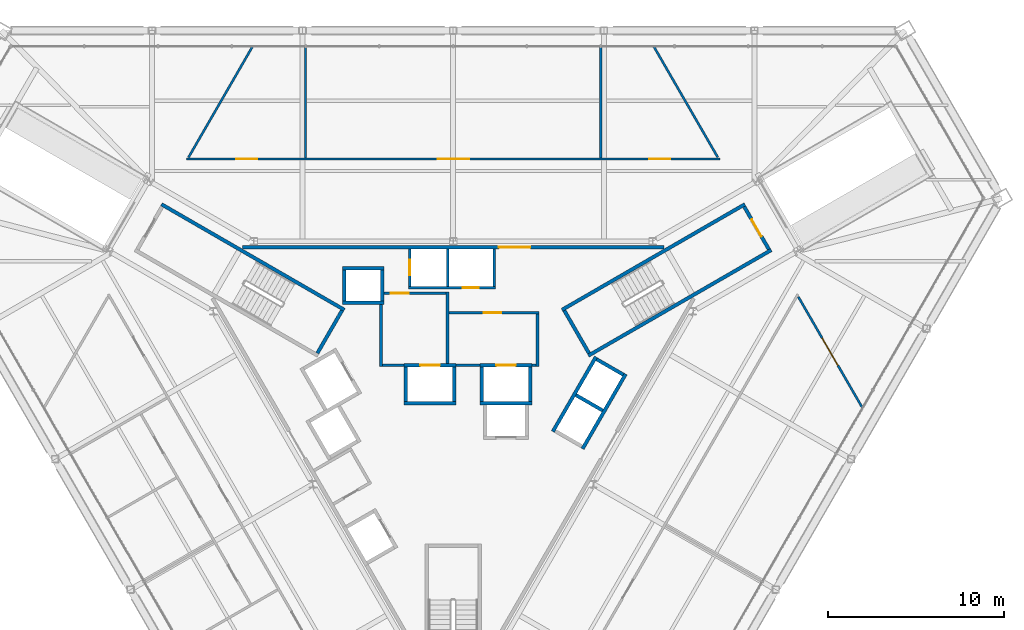
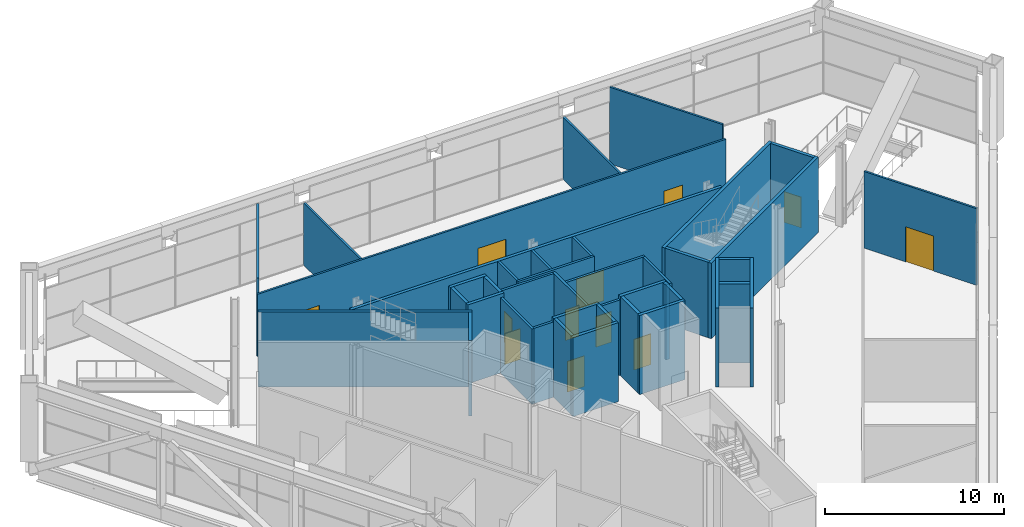
# One storey, part 14 of 20: 41 walls, 12 doors, 12 openings.
"""IFC4 building model written with IfcOpenShell, lengths in metres."""

from ifc_helpers import new_model, si_unit, direction, frame, frame_2d, origin, place, context, subcontext, project, spatial, rectangle, extrude, material, layer, layer_set, type_object, element, fill, save


model = new_model("IFC4")

# Units and contexts
model_context = context("Model", 3, precision=1e-05, world=origin(), true_north=direction((0.0, 1.0)))
body_context = subcontext(model_context, "Body", "Model", "MODEL_VIEW")
ifc_project = project(units=[si_unit("LENGTHUNIT", "METRE"), si_unit("AREAUNIT", "SQUARE_METRE"), si_unit("VOLUMEUNIT", "CUBIC_METRE"), si_unit("PLANEANGLEUNIT", "RADIAN"), si_unit("MASSUNIT", "GRAM", prefix="KILO")], contexts=[model_context])

# Site, building, storey
site_placement = place(None, origin())
site = spatial("IfcSite", under=ifc_project, at=site_placement, CompositionType="ELEMENT")
building_placement = place(site_placement, origin())
building = spatial("IfcBuilding", under=site, at=building_placement, Name="Verrane Prism Tower", CompositionType="ELEMENT")
storey_placement = place(building_placement, frame((0.0, 0.0, 12.0)))
storey = spatial("IfcBuildingStorey", under=building, at=storey_placement, Name="L01", CompositionType="ELEMENT", Elevation=12.0)

# Walls
ifc_material_1 = material(Name="Gypsum board partition", Category="other")
ifc_layer_1 = layer(ifc_material_1, 0.125)
ifc_layer_set_1 = layer_set([ifc_layer_1], Name="BW-125 demising wall 1 h")
wall_type_1 = type_object("IfcWallType", Name="BW-125 demising wall 1 h", PredefinedType="PARTITIONING", material=ifc_layer_set_1)
for number, where, z_axis, x_axis, name in (
    (1, (-8.383056640625, 13.9326171875, 0.0), (0.0, 0.0, 1.0), (0.0, 1.0, 0.0), "Demising wall 012"),
    (2, (8.383056640625, 13.9326171875, 0.0), (0.0, 0.0, 1.0), (0.0, 1.0, 0.0), "Demising wall 016"),
):
    element("IfcWall", number, at=place(storey_placement, frame(where, z_axis=z_axis, x_axis=x_axis)), inside=storey, type_object=wall_type_1, Name=name, PredefinedType="PARTITIONING", context=body_context, shape_type="SweptSolid", body=[
        extrude(rectangle(XDim=6.33740234375, YDim=0.125, at=frame_2d((3.168701171875, 0.0))), origin(), (0.0, 0.0, 1.0), 4.2529296875),
    ])
ifc_material_2 = material(Name="Gypsum board partition", Category="other")
ifc_layer_2 = layer(ifc_material_2, 0.125)
ifc_layer_set_2 = layer_set([ifc_layer_2], Name="BW-125 shopfront wall 1 h")
wall_type_2 = type_object("IfcWallType", Name="BW-125 shopfront wall 1 h", PredefinedType="PARTITIONING", material=ifc_layer_set_2)
wall_1_placement = place(storey_placement, frame((-15.033447265625, 13.9609375, 0.0), z_axis=(0.0, 0.0, 1.0), x_axis=(0.499977739203, 0.86603825568, 0.0)))
element("IfcWall", 3, at=wall_1_placement, inside=storey, type_object=wall_type_2, Name="Shopfront wall 008", PredefinedType="PARTITIONING", context=body_context, shape_type="SweptSolid", body=[
    extrude(rectangle(XDim=7.284912109375, YDim=0.125, at=frame_2d((3.642578125, 0.0))), origin(), (0.0, 0.0, 1.0), 5.239990234375),
])

# Wall, openings, doors
wall_2_placement = place(storey_placement, frame((-15.1484375, 13.8701171875, 0.0), z_axis=(0.0, 0.0, 1.0), x_axis=(1.0, 0.0, 0.0)))
wall_2 = element("IfcWall", 4, at=wall_2_placement, inside=storey, type_object=wall_type_2, Name="Shopfront wall 009", PredefinedType="PARTITIONING", context=body_context, shape_type="SweptSolid", body=[
    extrude(rectangle(XDim=30.296875, YDim=0.125, at=frame_2d((15.1484375, 0.0))), origin(), (0.0, 0.0, 1.0), 4.2529296875),
])
opening_1_placement = place(wall_2_placement, frame((26.281494140625, 0.0, 0.0)))
opening_1 = element("IfcOpeningElement", 5, at=opening_1_placement, cuts=wall_2, Name="Opening D01001", PredefinedType="OPENING", context=body_context, shape_type="SweptSolid", body=[
    extrude(rectangle(XDim=1.199951171875, YDim=2.10009765625, at=frame_2d((0.60009765625, 1.050048828125))), frame((0.0, 0.072509765625, 0.0), z_axis=(0.0, -1.0, 0.0), x_axis=(1.0, 0.0, 0.0)), (0.0, 0.0, 1.0), 0.14501953125),
])
opening_2_placement = place(wall_2_placement, frame((14.265380859375, 0.0, 0.0)))
opening_2 = element("IfcOpeningElement", 6, at=opening_2_placement, cuts=wall_2, Name="Opening D01002", PredefinedType="OPENING", context=body_context, shape_type="SweptSolid", body=[
    extrude(rectangle(XDim=1.800048828125, YDim=2.39990234375, at=frame_2d((0.89990234375, 1.199951171875))), frame((0.0, 0.072509765625, 0.0), z_axis=(0.0, -1.0, 0.0), x_axis=(1.0, 0.0, 0.0)), (0.0, 0.0, 1.0), 0.14501953125),
])
opening_3_placement = place(wall_2_placement, frame((2.8125, 0.0, 0.0)))
opening_3 = element("IfcOpeningElement", 7, at=opening_3_placement, cuts=wall_2, Name="Opening D01003", PredefinedType="OPENING", context=body_context, shape_type="SweptSolid", body=[
    extrude(rectangle(XDim=1.199951171875, YDim=2.10009765625, at=frame_2d((0.60009765625, 1.050048828125))), frame((0.0, 0.072509765625, 0.0), z_axis=(0.0, -1.0, 0.0), x_axis=(1.0, 0.0, 0.0)), (0.0, 0.0, 1.0), 0.14501953125),
])
ifc_material_3 = material(Name="Timber veneered door leaf", Category="wood")
door_type_1 = type_object("IfcDoorType", Name="DR-1200x2100 FD20 single leaf shopfront", OperationType="NOTDEFINED", PredefinedType="DOOR", material=ifc_material_3)
door_1_placement = place(opening_1_placement, origin())
door_1 = element("IfcDoor", 8, at=door_1_placement, inside=storey, type_object=door_type_1, Name="Door Shop 0101", OperationType="SINGLE_SWING_LEFT", OverallHeight=2.10009765625, OverallWidth=1.199951171875, PredefinedType="DOOR", context=body_context, shape_type="SweptSolid", body=[
    extrude(rectangle(XDim=1.199951171875, YDim=2.10009765625, at=frame_2d((0.60009765625, 1.050048828125))), frame((0.0, 0.02490234375, 0.0), z_axis=(0.0, -1.0, 0.0), x_axis=(1.0, 0.0, 0.0)), (0.0, 0.0, 1.0), 0.050048828125),
])
fill(opening_1, door_1)
door_2_placement = place(opening_3_placement, origin())
door_2 = element("IfcDoor", 9, at=door_2_placement, inside=storey, type_object=door_type_1, Name="Door Shop 0103", OperationType="SINGLE_SWING_LEFT", OverallHeight=2.10009765625, OverallWidth=1.199951171875, PredefinedType="DOOR", context=body_context, shape_type="SweptSolid", body=[
    extrude(rectangle(XDim=1.199951171875, YDim=2.10009765625, at=frame_2d((0.60009765625, 1.050048828125))), frame((0.0, 0.02490234375, 0.0), z_axis=(0.0, -1.0, 0.0), x_axis=(1.0, 0.0, 0.0)), (0.0, 0.0, 1.0), 0.050048828125),
])
fill(opening_3, door_2)
ifc_material_4 = material(Name="Aluminium and glass door leaf", Category="aluminium")
door_type_2 = type_object("IfcDoorType", Name="DR-1800x2400 FD20 double leaf shopfront", OperationType="NOTDEFINED", PredefinedType="DOOR", material=ifc_material_4)
door_3_placement = place(opening_2_placement, origin())
door_3 = element("IfcDoor", 10, at=door_3_placement, inside=storey, type_object=door_type_2, Name="Door Flagship Store 0102", OperationType="DOUBLE_DOOR_SINGLE_SWING", OverallHeight=2.39990234375, OverallWidth=1.800048828125, PredefinedType="DOOR", context=body_context, shape_type="SweptSolid", body=[
    extrude(rectangle(XDim=1.800048828125, YDim=2.39990234375, at=frame_2d((0.89990234375, 1.199951171875))), frame((0.0, 0.02490234375, 0.0), z_axis=(0.0, -1.0, 0.0), x_axis=(1.0, 0.0, 0.0)), (0.0, 0.0, 1.0), 0.050048828125),
])
fill(opening_2, door_3)

# Wall
wall_3_placement = place(storey_placement, frame((11.39111328125, 20.27001953125, 0.0), z_axis=(0.0, 0.0, 1.0), x_axis=(0.499977739203, -0.86603825568, 0.0)))
element("IfcWall", 11, at=wall_3_placement, inside=storey, type_object=wall_type_2, Name="Shopfront wall 017", PredefinedType="PARTITIONING", context=body_context, shape_type="SweptSolid", body=[
    extrude(rectangle(XDim=7.284912109375, YDim=0.125, at=frame_2d((3.642578125, 0.0))), origin(), (0.0, 0.0, 1.0), 5.239990234375),
])

# Wall, opening, door
wall_4_placement = place(storey_placement, frame((23.25, -0.27001953125, 0.0), z_axis=(0.0, 0.0, 1.0), x_axis=(-0.500002873931, 0.866023744513, 0.0)))
wall_4 = element("IfcWall", 12, at=wall_4_placement, inside=storey, type_object=wall_type_2, Name="Shopfront wall 019", PredefinedType="PARTITIONING", context=body_context, shape_type="SweptSolid", body=[
    extrude(rectangle(XDim=7.28515625, YDim=0.125, at=frame_2d((3.642578125, 0.0))), origin(), (0.0, 0.0, 1.0), 5.239990234375),
])
opening_4_placement = place(wall_4_placement, frame((2.7900390625, 0.0, 0.0)))
opening_4 = element("IfcOpeningElement", 13, at=opening_4_placement, cuts=wall_4, Name="Opening D01013", PredefinedType="OPENING", context=body_context, shape_type="SweptSolid", body=[
    extrude(rectangle(XDim=1.800048828125, YDim=2.39990234375, at=frame_2d((0.89990234375, 1.199951171875))), frame((0.0, 0.072509765625, 0.0), z_axis=(0.0, -1.0, 0.0), x_axis=(1.0, 0.0, 0.0)), (0.0, 0.0, 1.0), 0.14501953125),
])
door_4_placement = place(opening_4_placement, origin())
door_4 = element("IfcDoor", 14, at=door_4_placement, inside=storey, type_object=door_type_2, Name="Door Restaurant 0109", OperationType="DOUBLE_DOOR_SINGLE_SWING", OverallHeight=2.39990234375, OverallWidth=1.800048828125, PredefinedType="DOOR", context=body_context, shape_type="SweptSolid", body=[
    extrude(rectangle(XDim=1.800048828125, YDim=2.39990234375, at=frame_2d((0.89990234375, 1.199951171875))), frame((0.0, 0.02490234375, 0.0), z_axis=(0.0, -1.0, 0.0), x_axis=(1.0, 0.0, 0.0)), (0.0, 0.0, 1.0), 0.050048828125),
])
fill(opening_4, door_4)

ifc_material_5 = material(Name="Gypsum board partition", Category="other")
ifc_layer_3 = layer(ifc_material_5, 0.199951171875)
ifc_layer_set_3 = layer_set([ifc_layer_3], Name="CW-200 core boundary wall 2 h")
wall_type_3 = type_object("IfcWallType", Name="CW-200 core boundary wall 2 h", PredefinedType="PARTITIONING", material=ifc_layer_set_3)
wall_5_placement = place(storey_placement, frame((11.986083984375, 8.860107421875, 0.0), z_axis=(0.0, 0.0, 1.0), x_axis=(-1.0, 0.0, 0.0)))
wall_5 = element("IfcWall", 15, at=wall_5_placement, inside=storey, type_object=wall_type_3, Name="Core boundary wall CW3-002", PredefinedType="PARTITIONING", context=body_context, shape_type="SweptSolid", body=[
    extrude(rectangle(XDim=23.967041015625, YDim=0.199951171875, at=frame_2d((11.9833984375, 0.0))), origin(), (0.0, 0.0, 1.0), 5.14990234375),
])
opening_5_placement = place(wall_5_placement, frame((7.595947265625, 0.0, 0.0)))
opening_5 = element("IfcOpeningElement", 16, at=opening_5_placement, cuts=wall_5, Name="Opening D01509", PredefinedType="OPENING", context=body_context, shape_type="SweptSolid", body=[
    extrude(rectangle(XDim=1.800048828125, YDim=2.10009765625, at=frame_2d((0.89990234375, 1.050048828125))), frame((0.0, 0.10986328125, 0.0), z_axis=(0.0, -1.0, 0.0), x_axis=(1.0, 0.0, 0.0)), (0.0, 0.0, 1.0), 0.219970703125),
])
ifc_material_6 = material(Name="Timber veneered door leaf", Category="wood")
door_type_3 = type_object("IfcDoorType", Name="DR-1800x2100 FD60 double leaf lift lobby", OperationType="NOTDEFINED", PredefinedType="DOOR", material=ifc_material_6)
door_5_placement = place(opening_5_placement, origin())
door_5 = element("IfcDoor", 17, at=door_5_placement, inside=storey, type_object=door_type_3, Name="Lift lobby door D01509", OperationType="DOUBLE_DOOR_SINGLE_SWING", OverallHeight=2.10009765625, OverallWidth=1.800048828125, PredefinedType="DOOR", context=body_context, shape_type="SweptSolid", body=[
    extrude(rectangle(XDim=1.800048828125, YDim=2.10009765625, at=frame_2d((0.89990234375, 1.050048828125))), frame((0.0, 0.02490234375, 0.0), z_axis=(0.0, -1.0, 0.0), x_axis=(1.0, 0.0, 0.0)), (0.0, 0.0, 1.0), 0.050048828125),
])
fill(opening_5, door_5)

ifc_material_7 = material(Name="Concrete C40/50", Category="concrete")
ifc_layer_4 = layer(ifc_material_7, 0.199951171875)
ifc_layer_set_4 = layer_set([ifc_layer_4], Name="CW-200 stair core wall concrete C40/50 3 h")
wall_type_4 = type_object("IfcWallType", Name="CW-200 stair core wall concrete C40/50 3 h", PredefinedType="PARTITIONING", material=ifc_layer_set_4)
wall_6_placement = place(storey_placement, frame((17.933837890625, 8.737548828125, 0.0), z_axis=(0.0, 0.0, 1.0), x_axis=(-0.49998411664, 0.866034573852, 0.0)))
wall_6 = element("IfcWall", 18, at=wall_6_placement, inside=storey, type_object=wall_type_4, Name="Stair 1 enclosure wall", PredefinedType="PARTITIONING", context=body_context, shape_type="SweptSolid", body=[
    extrude(rectangle(XDim=2.7998046875, YDim=0.199951171875, at=frame_2d((1.39990234375, 0.0))), origin(), (0.0, 0.0, 1.0), 5.14990234375),
])
opening_6_placement = place(wall_6_placement, frame((0.849853515625, 0.0, 0.0)))
opening_6 = element("IfcOpeningElement", 19, at=opening_6_placement, cuts=wall_6, Name="Opening D01500", PredefinedType="OPENING", context=body_context, shape_type="SweptSolid", body=[
    extrude(rectangle(XDim=1.10009765625, YDim=2.10009765625, at=frame_2d((0.550048828125, 1.050048828125))), frame((0.0, 0.10986328125, 0.0), z_axis=(0.0, -1.0, 0.0), x_axis=(1.0, 0.0, 0.0)), (0.0, 0.0, 1.0), 0.219970703125),
])
ifc_material_8 = material(Name="Timber veneered door leaf", Category="wood")
door_type_4 = type_object("IfcDoorType", Name="DR-1100x2100 FD90 single leaf stair", OperationType="NOTDEFINED", PredefinedType="DOOR", material=ifc_material_8)
door_6_placement = place(opening_6_placement, origin())
door_6 = element("IfcDoor", 20, at=door_6_placement, inside=storey, type_object=door_type_4, Name="Stair 1 door", OperationType="SINGLE_SWING_LEFT", OverallHeight=2.10009765625, OverallWidth=1.10009765625, PredefinedType="DOOR", context=body_context, shape_type="SweptSolid", body=[
    extrude(rectangle(XDim=1.10009765625, YDim=2.10009765625, at=frame_2d((0.550048828125, 1.050048828125))), frame((0.0, 0.02490234375, 0.0), z_axis=(0.0, -1.0, 0.0), x_axis=(1.0, 0.0, 0.0)), (0.0, 0.0, 1.0), 0.050048828125),
])
fill(opening_6, door_6)

# Walls
for number, where, z_axis, x_axis, name in (
    (21, (6.17822265625, 5.299072265625, 0.0), (0.0, 0.0, 1.0), (0.866026010844, 0.49999894854, 0.0), "Stair 1 enclosure wall"),
    (22, (7.67822265625, 2.700927734375, 0.0), (0.0, 0.0, 1.0), (0.866026010844, 0.49999894854, 0.0), "Stair 1 enclosure wall"),
):
    element("IfcWall", number, at=place(storey_placement, frame(where, z_axis=z_axis, x_axis=x_axis)), inside=storey, type_object=wall_type_4, Name=name, PredefinedType="PARTITIONING", context=body_context, shape_type="SweptSolid", body=[
        extrude(rectangle(XDim=12.0, YDim=0.199951171875, at=frame_2d((6.0, 0.0))), origin(), (0.0, 0.0, 1.0), 5.14990234375),
    ])
wall_7_placement = place(storey_placement, frame((7.71484375, 2.837646484375, 0.0), z_axis=(0.0, 0.0, 1.0), x_axis=(-0.500049511043, 0.865996816683, 0.0)))
element("IfcWall", 23, at=wall_7_placement, inside=storey, type_object=wall_type_4, Name="Stair 1 enclosure wall", PredefinedType="PARTITIONING", context=body_context, shape_type="SweptSolid", body=[
    extrude(rectangle(XDim=2.800048828125, YDim=0.199951171875, at=frame_2d((1.39990234375, 0.0))), origin(), (0.0, 0.0, 1.0), 5.14990234375),
])
wall_8_placement = place(storey_placement, frame((-6.17822265625, 5.299072265625, 0.0), z_axis=(0.0, 0.0, 1.0), x_axis=(-0.866026010844, 0.49999894854, 0.0)))
element("IfcWall", 24, at=wall_8_placement, inside=storey, type_object=wall_type_4, Name="Stair 2 enclosure wall", PredefinedType="PARTITIONING", context=body_context, shape_type="SweptSolid", body=[
    extrude(rectangle(XDim=12.0, YDim=0.199951171875, at=frame_2d((6.0, 0.0))), origin(), (0.0, 0.0, 1.0), 5.14990234375),
])
wall_9_placement = place(storey_placement, frame((-6.314697265625, 5.262451171875, 0.0), z_axis=(0.0, 0.0, 1.0), x_axis=(-0.500049511043, -0.865996816683, 0.0)))
element("IfcWall", 25, at=wall_9_placement, inside=storey, type_object=wall_type_4, Name="Stair 2 enclosure wall", PredefinedType="PARTITIONING", context=body_context, shape_type="SweptSolid", body=[
    extrude(rectangle(XDim=2.800048828125, YDim=0.199951171875, at=frame_2d((1.39990234375, 0.0))), origin(), (0.0, 0.0, 1.0), 5.14990234375),
])
ifc_material_9 = material(Name="Gypsum board shaft wall assembly", Category="other")
ifc_layer_5 = layer(ifc_material_9, 0.199951171875)
ifc_layer_set_5 = layer_set([ifc_layer_5], Name="HW-200 lift shaft wall 2 h")
wall_type_5 = type_object("IfcWallType", Name="HW-200 lift shaft wall 2 h", PredefinedType="PARTITIONING", material=ifc_layer_set_5)
wall_10_placement = place(storey_placement, frame((-2.784912109375, 0.0, 0.0), z_axis=(0.0, 0.0, 1.0), x_axis=(1.0, 0.0, 0.0)))
element("IfcWall", 26, at=wall_10_placement, inside=storey, type_object=wall_type_5, Name="Lift shaft wall", PredefinedType="PARTITIONING", context=body_context, shape_type="SweptSolid", body=[
    extrude(rectangle(XDim=2.949951171875, YDim=0.199951171875, at=frame_2d((1.47509765625, 0.0))), origin(), (0.0, 0.0, 1.0), 5.39990234375),
])
wall_11_placement = place(storey_placement, frame((1.52490234375, 0.0, 0.0), z_axis=(0.0, 0.0, 1.0), x_axis=(1.0, 0.0, 0.0)))
element("IfcWall", 27, at=wall_11_placement, inside=storey, type_object=wall_type_5, Name="Lift shaft wall", PredefinedType="PARTITIONING", context=body_context, shape_type="SweptSolid", body=[
    extrude(rectangle(XDim=2.9501953125, YDim=0.199951171875, at=frame_2d((1.47509765625, 0.0))), origin(), (0.0, 0.0, 1.0), 5.39990234375),
])

# Wall, opening, door
wall_12_placement = place(storey_placement, frame((-2.784912109375, 2.14990234375, 0.0), z_axis=(0.0, 0.0, 1.0), x_axis=(1.0, 0.0, 0.0)))
wall_12 = element("IfcWall", 28, at=wall_12_placement, inside=storey, type_object=wall_type_5, Name="Lift shaft wall", PredefinedType="PARTITIONING", context=body_context, shape_type="SweptSolid", body=[
    extrude(rectangle(XDim=2.949951171875, YDim=0.199951171875, at=frame_2d((1.47509765625, 0.0))), origin(), (0.0, 0.0, 1.0), 5.39990234375),
])
opening_7_placement = place(wall_12_placement, frame((0.925048828125, 0.0, 0.0)))
opening_7 = element("IfcOpeningElement", 29, at=opening_7_placement, cuts=wall_12, Name="Opening D01503", PredefinedType="OPENING", context=body_context, shape_type="SweptSolid", body=[
    extrude(rectangle(XDim=1.10009765625, YDim=2.10009765625, at=frame_2d((0.550048828125, 1.050048828125))), frame((0.0, 0.10986328125, 0.0), z_axis=(0.0, -1.0, 0.0), x_axis=(1.0, 0.0, 0.0)), (0.0, 0.0, 1.0), 0.219970703125),
])
ifc_material_10 = material(Name="Stainless steel sliding landing door", Category="steel")
door_type_5 = type_object("IfcDoorType", Name="LD-1100x2100 lift landing door FD90 sliding", OperationType="NOTDEFINED", PredefinedType="DOOR", material=ifc_material_10)
door_7_placement = place(opening_7_placement, origin())
door_7 = element("IfcDoor", 30, at=door_7_placement, inside=storey, type_object=door_type_5, Name="Fire service lift 1 landing door", OperationType="SLIDING_TO_LEFT", OverallHeight=2.10009765625, OverallWidth=1.10009765625, PredefinedType="DOOR", context=body_context, shape_type="SweptSolid", body=[
    extrude(rectangle(XDim=1.10009765625, YDim=2.10009765625, at=frame_2d((0.550048828125, 1.050048828125))), frame((0.0, 0.02490234375, 0.0), z_axis=(0.0, -1.0, 0.0), x_axis=(1.0, 0.0, 0.0)), (0.0, 0.0, 1.0), 0.050048828125),
])
fill(opening_7, door_7)

wall_13_placement = place(storey_placement, frame((1.52490234375, 2.14990234375, 0.0), z_axis=(0.0, 0.0, 1.0), x_axis=(1.0, 0.0, 0.0)))
wall_13 = element("IfcWall", 31, at=wall_13_placement, inside=storey, type_object=wall_type_5, Name="Lift shaft wall", PredefinedType="PARTITIONING", context=body_context, shape_type="SweptSolid", body=[
    extrude(rectangle(XDim=2.9501953125, YDim=0.199951171875, at=frame_2d((1.47509765625, 0.0))), origin(), (0.0, 0.0, 1.0), 5.39990234375),
])
opening_8_placement = place(wall_13_placement, frame((0.925048828125, 0.0, 0.0)))
opening_8 = element("IfcOpeningElement", 32, at=opening_8_placement, cuts=wall_13, Name="Opening D01504", PredefinedType="OPENING", context=body_context, shape_type="SweptSolid", body=[
    extrude(rectangle(XDim=1.10009765625, YDim=2.10009765625, at=frame_2d((0.550048828125, 1.050048828125))), frame((0.0, 0.10986328125, 0.0), z_axis=(0.0, -1.0, 0.0), x_axis=(1.0, 0.0, 0.0)), (0.0, 0.0, 1.0), 0.219970703125),
])
door_8_placement = place(opening_8_placement, origin())
door_8 = element("IfcDoor", 33, at=door_8_placement, inside=storey, type_object=door_type_5, Name="Fire service lift 2 landing door", OperationType="SLIDING_TO_RIGHT", OverallHeight=2.10009765625, OverallWidth=1.10009765625, PredefinedType="DOOR", context=body_context, shape_type="SweptSolid", body=[
    extrude(rectangle(XDim=1.10009765625, YDim=2.10009765625, at=frame_2d((0.550048828125, 1.050048828125))), frame((0.0, 0.02490234375, 0.0), z_axis=(0.0, -1.0, 0.0), x_axis=(1.0, 0.0, 0.0)), (0.0, 0.0, 1.0), 0.050048828125),
])
fill(opening_8, door_8)

# Walls
for number, where, z_axis, x_axis, name in (
    (34, (-6.284912109375, 5.7099609375, 0.0), (0.0, 0.0, 1.0), (1.0, 0.0, 0.0), "Lift shaft wall"),
    (35, (-6.284912109375, 7.659912109375, 0.0), (0.0, 0.0, 1.0), (1.0, 0.0, 0.0), "Lift shaft wall"),
):
    element("IfcWall", number, at=place(storey_placement, frame(where, z_axis=z_axis, x_axis=x_axis)), inside=storey, type_object=wall_type_5, Name=name, PredefinedType="PARTITIONING", context=body_context, shape_type="SweptSolid", body=[
        extrude(rectangle(XDim=2.349853515625, YDim=0.199951171875, at=frame_2d((1.1748046875, 0.0))), origin(), (0.0, 0.0, 1.0), 5.39990234375),
    ])
wall_14_placement = place(storey_placement, frame((7.351318359375, -2.587158203125, 0.0), z_axis=(0.0, 0.0, 1.0), x_axis=(0.500002801628, 0.866023786258, 0.0)))
element("IfcWall", 36, at=wall_14_placement, inside=storey, type_object=wall_type_5, Name="Lift shaft wall", PredefinedType="PARTITIONING", context=body_context, shape_type="SweptSolid", body=[
    extrude(rectangle(XDim=4.89990234375, YDim=0.199951171875, at=frame_2d((2.449951171875, 0.0))), origin(), (0.0, 0.0, 1.0), 5.39990234375),
])
wall_15_placement = place(storey_placement, frame((5.66259765625, -1.6123046875, 0.0), z_axis=(0.0, 0.0, 1.0), x_axis=(0.49998122708, 0.866036242063, 0.0)))
element("IfcWall", 37, at=wall_15_placement, inside=storey, type_object=wall_type_5, Name="Lift shaft wall", PredefinedType="PARTITIONING", context=body_context, shape_type="SweptSolid", body=[
    extrude(rectangle(XDim=4.900146484375, YDim=0.199951171875, at=frame_2d((2.4501953125, 0.0))), origin(), (0.0, 0.0, 1.0), 5.39990234375),
])
for number, where, z_axis, x_axis, name in (
    (38, (4.375, 0.10009765625, 0.0), (0.0, 0.0, 1.0), (0.0, 1.0, 0.0), "Lift shaft wall"),
    (39, (1.625, 0.10009765625, 0.0), (0.0, 0.0, 1.0), (0.0, 1.0, 0.0), "Lift shaft wall"),
    (40, (0.06494140625, 0.10009765625, 0.0), (0.0, 0.0, 1.0), (0.0, 1.0, 0.0), "Lift shaft wall"),
    (41, (-2.68505859375, 0.10009765625, 0.0), (0.0, 0.0, 1.0), (0.0, 1.0, 0.0), "Lift shaft wall"),
):
    element("IfcWall", number, at=place(storey_placement, frame(where, z_axis=z_axis, x_axis=x_axis)), inside=storey, type_object=wall_type_5, Name=name, PredefinedType="PARTITIONING", context=body_context, shape_type="SweptSolid", body=[
        extrude(rectangle(XDim=1.949951171875, YDim=0.199951171875, at=frame_2d((0.97509765625, 0.0))), origin(), (0.0, 0.0, 1.0), 5.39990234375),
    ])
for number, where, z_axis, x_axis, name in (
    (42, (-4.034912109375, 5.81005859375, 0.0), (0.0, 0.0, 1.0), (0.0, 1.0, 0.0), "Lift shaft wall"),
    (43, (-6.18505859375, 5.81005859375, 0.0), (0.0, 0.0, 1.0), (0.0, 1.0, 0.0), "Lift shaft wall"),
):
    element("IfcWall", number, at=place(storey_placement, frame(where, z_axis=z_axis, x_axis=x_axis)), inside=storey, type_object=wall_type_5, Name=name, PredefinedType="PARTITIONING", context=body_context, shape_type="SweptSolid", body=[
        extrude(rectangle(XDim=1.75, YDim=0.199951171875, at=frame_2d((0.875, 0.0))), origin(), (0.0, 0.0, 1.0), 5.39990234375),
    ])
wall_16_placement = place(storey_placement, frame((9.66455078125, 1.61962890625, 0.0), z_axis=(0.0, 0.0, 1.0), x_axis=(-0.866002029911, 0.500040482552, 0.0)))
element("IfcWall", 44, at=wall_16_placement, inside=storey, type_object=wall_type_5, Name="Lift shaft wall", PredefinedType="PARTITIONING", context=body_context, shape_type="SweptSolid", body=[
    extrude(rectangle(XDim=1.749755859375, YDim=0.199951171875, at=frame_2d((0.875, 0.0))), origin(), (0.0, 0.0, 1.0), 5.39990234375),
])
wall_17_placement = place(storey_placement, frame((8.48974609375, -0.41552734375, 0.0), z_axis=(0.0, 0.0, 1.0), x_axis=(-0.866036909293, 0.499980071345, 0.0)))
element("IfcWall", 45, at=wall_17_placement, inside=storey, type_object=wall_type_5, Name="Lift shaft wall", PredefinedType="PARTITIONING", context=body_context, shape_type="SweptSolid", body=[
    extrude(rectangle(XDim=1.75, YDim=0.199951171875, at=frame_2d((0.875, 0.0))), origin(), (0.0, 0.0, 1.0), 5.39990234375),
])
ifc_material_11 = material(Name="Gypsum board partition", Category="other")
ifc_layer_6 = layer(ifc_material_11, 0.14990234375)
ifc_layer_set_6 = layer_set([ifc_layer_6], Name="LF-150 firefighting lobby wall 1 h")
wall_type_6 = type_object("IfcWallType", Name="LF-150 firefighting lobby wall 1 h", PredefinedType="PARTITIONING", material=ifc_layer_set_6)
wall_18_placement = place(storey_placement, frame((-4.10009765625, 2.0849609375, 0.0), z_axis=(0.0, 0.0, 1.0), x_axis=(0.0, 1.0, 0.0)))
element("IfcWall", 46, at=wall_18_placement, inside=storey, type_object=wall_type_6, Name="Firefighting lobby wall LF1-001", PredefinedType="PARTITIONING", context=body_context, shape_type="SweptSolid", body=[
    extrude(rectangle(XDim=3.52294921875, YDim=0.14990234375, at=frame_2d((1.761474609375, 0.0))), origin(), (0.0, 0.0, 1.0), 5.14990234375),
])
wall_19_placement = place(storey_placement, frame((-4.02490234375, 2.159912109375, 0.0), z_axis=(0.0, 0.0, 1.0), x_axis=(1.0, 0.0, 0.0)))
element("IfcWall", 47, at=wall_19_placement, inside=storey, type_object=wall_type_6, Name="Firefighting lobby wall LF1-002", PredefinedType="PARTITIONING", context=body_context, shape_type="SweptSolid", body=[
    extrude(rectangle(XDim=1.23779296875, YDim=0.14990234375, at=frame_2d((0.618896484375, 0.0))), origin(), (0.0, 0.0, 1.0), 5.14990234375),
])

# Wall, opening, door
wall_20_placement = place(storey_placement, frame((-3.93310546875, 6.239990234375, 0.0), z_axis=(0.0, 0.0, 1.0), x_axis=(1.0, 0.0, 0.0)))
wall_20 = element("IfcWall", 48, at=wall_20_placement, inside=storey, type_object=wall_type_6, Name="Firefighting lobby wall LF1-003", PredefinedType="PARTITIONING", context=body_context, shape_type="SweptSolid", body=[
    extrude(rectangle(XDim=3.5380859375, YDim=0.14990234375, at=frame_2d((1.76904296875, 0.0))), origin(), (0.0, 0.0, 1.0), 5.14990234375),
])
opening_9_placement = place(wall_20_placement, frame((0.39990234375, 0.0, 0.0)))
opening_9 = element("IfcOpeningElement", 49, at=opening_9_placement, cuts=wall_20, Name="Opening D01511", PredefinedType="OPENING", context=body_context, shape_type="SweptSolid", body=[
    extrude(rectangle(XDim=1.0, YDim=2.10009765625, at=frame_2d((0.5, 1.050048828125))), frame((0.0, 0.0849609375, 0.0), z_axis=(0.0, -1.0, 0.0), x_axis=(1.0, 0.0, 0.0)), (0.0, 0.0, 1.0), 0.169921875),
])
ifc_material_12 = material(Name="Timber veneered door leaf", Category="wood")
door_type_6 = type_object("IfcDoorType", Name="DR-1000x2100 FD60 single leaf firefighting lobby", OperationType="NOTDEFINED", PredefinedType="DOOR", material=ifc_material_12)
door_9_placement = place(opening_9_placement, origin())
door_9 = element("IfcDoor", 50, at=door_9_placement, inside=storey, type_object=door_type_6, Name="Firefighting lobby door D01511", OperationType="SINGLE_SWING_LEFT", OverallHeight=2.10009765625, OverallWidth=1.0, PredefinedType="DOOR", context=body_context, shape_type="SweptSolid", body=[
    extrude(rectangle(XDim=1.0, YDim=2.10009765625, at=frame_2d((0.5, 1.050048828125))), frame((0.0, 0.02490234375, 0.0), z_axis=(0.0, -1.0, 0.0), x_axis=(1.0, 0.0, 0.0)), (0.0, 0.0, 1.0), 0.050048828125),
])
fill(opening_9, door_9)

# Wall
wall_21_placement = place(storey_placement, frame((-0.320068359375, 2.251953125, 0.0), z_axis=(0.0, 0.0, 1.0), x_axis=(0.0, 1.0, 0.0)))
element("IfcWall", 51, at=wall_21_placement, inside=storey, type_object=wall_type_6, Name="Firefighting lobby wall LF1-004", PredefinedType="PARTITIONING", context=body_context, shape_type="SweptSolid", body=[
    extrude(rectangle(XDim=4.06298828125, YDim=0.14990234375, at=frame_2d((2.031494140625, 0.0))), origin(), (0.0, 0.0, 1.0), 5.14990234375),
])

# Wall, opening, door
wall_22_placement = place(storey_placement, frame((-0.2451171875, 5.139892578125, 0.0), z_axis=(0.0, 0.0, 1.0), x_axis=(1.0, 0.0, 0.0)))
wall_22 = element("IfcWall", 52, at=wall_22_placement, inside=storey, type_object=wall_type_6, Name="Firefighting lobby wall LF1-005", PredefinedType="PARTITIONING", context=body_context, shape_type="SweptSolid", body=[
    extrude(rectangle(XDim=5.110107421875, YDim=0.14990234375, at=frame_2d((2.55517578125, 0.0))), origin(), (0.0, 0.0, 1.0), 5.14990234375),
])
opening_10_placement = place(wall_22_placement, frame((1.97509765625, 0.0, 0.0)))
opening_10 = element("IfcOpeningElement", 53, at=opening_10_placement, cuts=wall_22, Name="Opening D01514", PredefinedType="OPENING", context=body_context, shape_type="SweptSolid", body=[
    extrude(rectangle(XDim=1.0, YDim=2.10009765625, at=frame_2d((0.5, 1.050048828125))), frame((0.0, 0.0849609375, 0.0), z_axis=(0.0, -1.0, 0.0), x_axis=(1.0, 0.0, 0.0)), (0.0, 0.0, 1.0), 0.169921875),
])
door_10_placement = place(opening_10_placement, origin())
door_10 = element("IfcDoor", 54, at=door_10_placement, inside=storey, type_object=door_type_6, Name="Firefighting lobby door D01514", OperationType="SINGLE_SWING_RIGHT", OverallHeight=2.10009765625, OverallWidth=1.0, PredefinedType="DOOR", context=body_context, shape_type="SweptSolid", body=[
    extrude(rectangle(XDim=1.0, YDim=2.10009765625, at=frame_2d((0.5, 1.050048828125))), frame((0.0, 0.02490234375, 0.0), z_axis=(0.0, -1.0, 0.0), x_axis=(1.0, 0.0, 0.0)), (0.0, 0.0, 1.0), 0.050048828125),
])
fill(opening_10, door_10)

# Walls
wall_23_placement = place(storey_placement, frame((0.1669921875, 2.159912109375, 0.0), z_axis=(0.0, 0.0, 1.0), x_axis=(1.0, 0.0, 0.0)))
element("IfcWall", 55, at=wall_23_placement, inside=storey, type_object=wall_type_6, Name="Firefighting lobby wall LF1-006", PredefinedType="PARTITIONING", context=body_context, shape_type="SweptSolid", body=[
    extrude(rectangle(XDim=1.35595703125, YDim=0.14990234375, at=frame_2d((0.677978515625, 0.0))), origin(), (0.0, 0.0, 1.0), 5.14990234375),
])
wall_24_placement = place(storey_placement, frame((4.47705078125, 2.159912109375, 0.0), z_axis=(0.0, 0.0, 1.0), x_axis=(1.0, 0.0, 0.0)))
element("IfcWall", 56, at=wall_24_placement, inside=storey, type_object=wall_type_6, Name="Firefighting lobby wall LF1-007", PredefinedType="PARTITIONING", context=body_context, shape_type="SweptSolid", body=[
    extrude(rectangle(XDim=0.238037109375, YDim=0.14990234375, at=frame_2d((0.119140625, 0.0))), origin(), (0.0, 0.0, 1.0), 5.14990234375),
])
wall_25_placement = place(storey_placement, frame((4.7900390625, 2.0849609375, 0.0), z_axis=(0.0, 0.0, 1.0), x_axis=(0.0, 1.0, 0.0)))
element("IfcWall", 57, at=wall_25_placement, inside=storey, type_object=wall_type_6, Name="Firefighting lobby wall LF1-008", PredefinedType="PARTITIONING", context=body_context, shape_type="SweptSolid", body=[
    extrude(rectangle(XDim=2.97998046875, YDim=0.14990234375, at=frame_2d((1.489990234375, 0.0))), origin(), (0.0, 0.0, 1.0), 5.14990234375),
])

# Wall, opening, door
ifc_material_13 = material(Name="Gypsum board partition", Category="other")
ifc_layer_7 = layer(ifc_material_13, 0.14990234375)
ifc_layer_set_7 = layer_set([ifc_layer_7], Name="RS-150 riser enclosure wall 1 h")
wall_type_7 = type_object("IfcWallType", Name="RS-150 riser enclosure wall 1 h", PredefinedType="PARTITIONING", material=ifc_layer_set_7)
wall_26_placement = place(storey_placement, frame((-2.4599609375, 8.760009765625, 0.0), z_axis=(0.0, 0.0, 1.0), x_axis=(0.0, -1.0, 0.0)))
wall_26 = element("IfcWall", 58, at=wall_26_placement, inside=storey, type_object=wall_type_7, Name="Riser wall RS3-004", PredefinedType="PARTITIONING", context=body_context, shape_type="SweptSolid", body=[
    extrude(rectangle(XDim=2.125, YDim=0.14990234375, at=frame_2d((1.0625, 0.0))), origin(), (0.0, 0.0, 1.0), 5.14990234375),
])
opening_11_placement = place(wall_26_placement, frame((0.60009765625, 0.0, 0.0)))
opening_11 = element("IfcOpeningElement", 59, at=opening_11_placement, cuts=wall_26, Name="Opening D01512", PredefinedType="OPENING", context=body_context, shape_type="SweptSolid", body=[
    extrude(rectangle(XDim=0.89990234375, YDim=2.10009765625, at=frame_2d((0.449951171875, 1.050048828125))), frame((0.0, 0.0849609375, 0.0), z_axis=(0.0, -1.0, 0.0), x_axis=(1.0, 0.0, 0.0)), (0.0, 0.0, 1.0), 0.169921875),
])
ifc_material_14 = material(Name="Timber veneered door leaf", Category="wood")
door_type_7 = type_object("IfcDoorType", Name="DR-900x2100 FD60 single leaf riser", OperationType="NOTDEFINED", PredefinedType="DOOR", material=ifc_material_14)
door_11_placement = place(opening_11_placement, origin())
door_11 = element("IfcDoor", 60, at=door_11_placement, inside=storey, type_object=door_type_7, Name="Riser door D01512", OperationType="SINGLE_SWING_RIGHT", OverallHeight=2.10009765625, OverallWidth=0.89990234375, PredefinedType="DOOR", context=body_context, shape_type="SweptSolid", body=[
    extrude(rectangle(XDim=0.89990234375, YDim=2.10009765625, at=frame_2d((0.449951171875, 1.050048828125))), frame((0.0, 0.02490234375, 0.0), z_axis=(0.0, -1.0, 0.0), x_axis=(1.0, 0.0, 0.0)), (0.0, 0.0, 1.0), 0.050048828125),
])
fill(opening_11, door_11)

wall_27_placement = place(storey_placement, frame((-2.534912109375, 6.56005859375, 0.0), z_axis=(0.0, 0.0, 1.0), x_axis=(1.0, 0.0, 0.0)))
wall_27 = element("IfcWall", 61, at=wall_27_placement, inside=storey, type_object=wall_type_7, Name="Riser wall RS3-005", PredefinedType="PARTITIONING", context=body_context, shape_type="SweptSolid", body=[
    extrude(rectangle(XDim=4.949951171875, YDim=0.14990234375, at=frame_2d((2.47509765625, 0.0))), origin(), (0.0, 0.0, 1.0), 5.14990234375),
])
opening_12_placement = place(wall_27_placement, frame((3.0849609375, 0.0, 0.0)))
opening_12 = element("IfcOpeningElement", 62, at=opening_12_placement, cuts=wall_27, Name="Opening D01513", PredefinedType="OPENING", context=body_context, shape_type="SweptSolid", body=[
    extrude(rectangle(XDim=0.89990234375, YDim=2.10009765625, at=frame_2d((0.449951171875, 1.050048828125))), frame((0.0, 0.0849609375, 0.0), z_axis=(0.0, -1.0, 0.0), x_axis=(1.0, 0.0, 0.0)), (0.0, 0.0, 1.0), 0.169921875),
])
door_12_placement = place(opening_12_placement, origin())
door_12 = element("IfcDoor", 63, at=door_12_placement, inside=storey, type_object=door_type_7, Name="Riser door D01513", OperationType="SINGLE_SWING_RIGHT", OverallHeight=2.10009765625, OverallWidth=0.89990234375, PredefinedType="DOOR", context=body_context, shape_type="SweptSolid", body=[
    extrude(rectangle(XDim=0.89990234375, YDim=2.10009765625, at=frame_2d((0.449951171875, 1.050048828125))), frame((0.0, 0.02490234375, 0.0), z_axis=(0.0, -1.0, 0.0), x_axis=(1.0, 0.0, 0.0)), (0.0, 0.0, 1.0), 0.050048828125),
])
fill(opening_12, door_12)

# Walls
for number, where, z_axis, x_axis, name in (
    (64, (-0.300048828125, 6.635009765625, 0.0), (0.0, 0.0, 1.0), (0.0, 1.0, 0.0), "Riser wall RS3-006"),
    (65, (2.340087890625, 6.635009765625, 0.0), (0.0, 0.0, 1.0), (0.0, 1.0, 0.0), "Riser wall RS3-007"),
):
    element("IfcWall", number, at=place(storey_placement, frame(where, z_axis=z_axis, x_axis=x_axis)), inside=storey, type_object=wall_type_7, Name=name, PredefinedType="PARTITIONING", context=body_context, shape_type="SweptSolid", body=[
        extrude(rectangle(XDim=2.125, YDim=0.14990234375, at=frame_2d((1.0625, 0.0))), origin(), (0.0, 0.0, 1.0), 5.14990234375),
    ])

save(model, "model.ifc")
